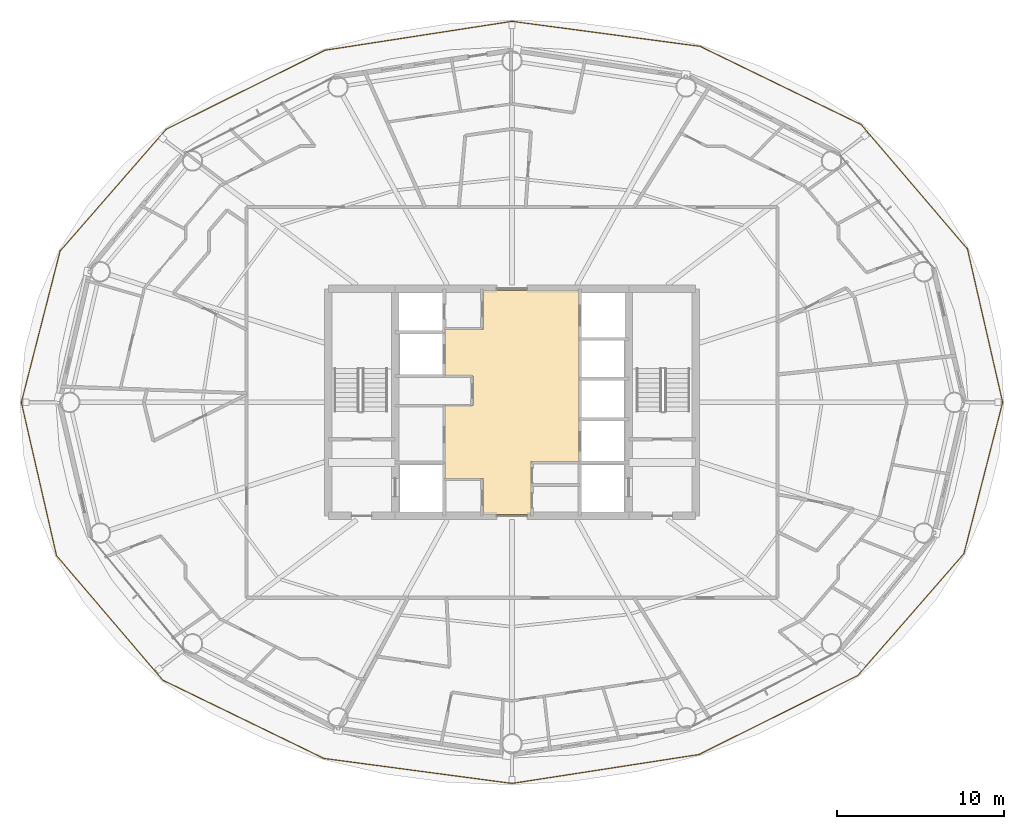
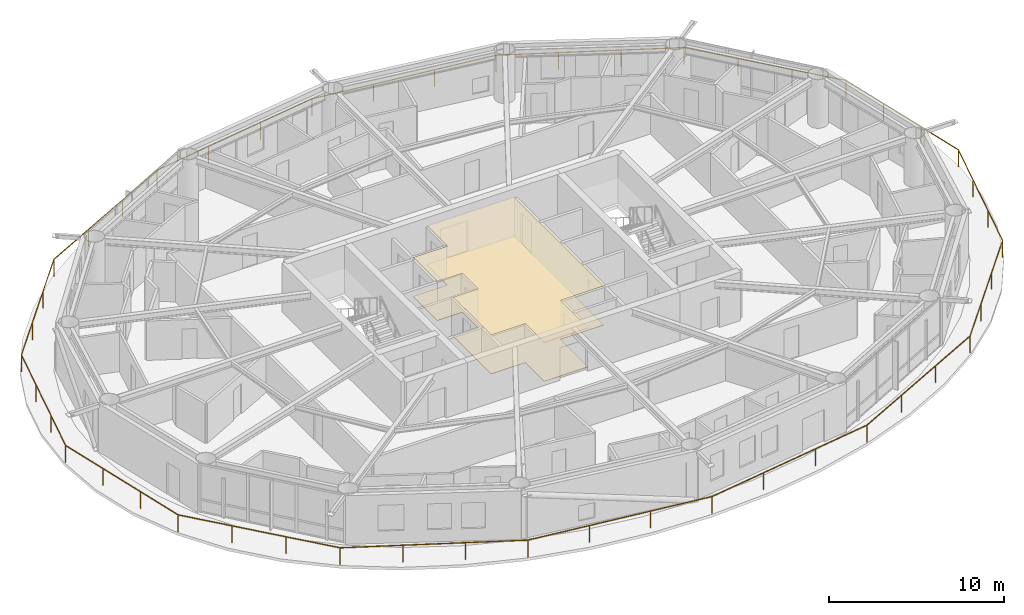
# One storey, part 26 of 27: 2 coverings, 1 railing.
"""IFC4 building model written with IfcOpenShell, lengths in metres."""

from ifc_helpers import new_model, si_unit, direction, frame, origin, origin_2d, place, context, subcontext, project, spatial, polyline, rectangle, outline, extrude, material, layer, layer_set, type_object, element, save


model = new_model("IFC4")

# Units and contexts
model_context = context("Model", 3, precision=1e-05, world=origin(), true_north=direction((0.0, 1.0)))
body_context = subcontext(model_context, "Body", "Model", "MODEL_VIEW")
ifc_project = project(units=[si_unit("LENGTHUNIT", "METRE"), si_unit("AREAUNIT", "SQUARE_METRE"), si_unit("VOLUMEUNIT", "CUBIC_METRE"), si_unit("PLANEANGLEUNIT", "RADIAN"), si_unit("MASSUNIT", "GRAM", prefix="KILO")], contexts=[model_context])

# Site, building, storey
site_placement = place(None, origin())
site = spatial("IfcSite", under=ifc_project, at=site_placement, CompositionType="ELEMENT")
building_placement = place(site_placement, origin())
building = spatial("IfcBuilding", under=site, at=building_placement, Name="Sarneth Arch Tower", CompositionType="ELEMENT")
storey_placement = place(building_placement, frame((0.0, 0.0, 193.800048828125)))
storey = spatial("IfcBuildingStorey", under=building, at=storey_placement, Name="L49", CompositionType="ELEMENT", Elevation=193.800048828125)

# Coverings
ifc_material_1 = material(Name="Perforated acoustic gypsum ceiling board")
ifc_layer_1 = layer(ifc_material_1, 0.02490234375)
ifc_layer_set_1 = layer_set([ifc_layer_1], Name="Perforated acoustic gypsum ceiling board")
covering_type_1 = type_object("IfcCoveringType", Name="COV-CEIL-GYP", PredefinedType="CEILING", material=ifc_layer_set_1)
covering_1_placement = place(storey_placement, frame((0.0, 0.0, 2.7099609375)))
element("IfcCovering", 1, at=covering_1_placement, inside=storey, type_object=covering_type_1, Name="L49 Lift lobby acoustic ceiling", PredefinedType="CEILING", context=body_context, shape_type="SweptSolid", body=[
    extrude(outline(polyline([(49.14990234375, 38.449951171875), (49.14990234375, 35.300048828125), (46.25, 35.300048828125), (46.25, 37.449951171875), (44.0, 37.449951171875), (44.0, 41.800048828125), (45.64990234375, 41.800048828125), (45.64990234375, 43.580078125), (44.0, 43.580078125), (44.0, 46.35009765625), (46.25, 46.35009765625), (46.25, 48.699951171875), (52.0, 48.699951171875), (52.0, 38.449951171875), (49.14990234375, 38.449951171875)])), origin(), (0.0, 0.0, 1.0), 0.030029296875),
])
ifc_material_2 = material(Name="Honed granite stone flooring", Category="masonry")
ifc_layer_2 = layer(ifc_material_2, 0.030029296875)
ifc_layer_set_2 = layer_set([ifc_layer_2], Name="Honed granite stone flooring")
covering_type_2 = type_object("IfcCoveringType", Name="COV-FLR-STONE", PredefinedType="FLOORING", material=ifc_layer_set_2)
covering_2_placement = place(storey_placement, origin())
element("IfcCovering", 2, at=covering_2_placement, inside=storey, type_object=covering_type_2, Name="L49 Lift lobby granite flooring", PredefinedType="FLOORING", context=body_context, shape_type="SweptSolid", body=[
    extrude(outline(polyline([(49.14990234375, 38.449951171875), (49.14990234375, 35.300048828125), (46.25, 35.300048828125), (46.25, 37.449951171875), (44.0, 37.449951171875), (44.0, 41.800048828125), (45.64990234375, 41.800048828125), (45.64990234375, 43.580078125), (44.0, 43.580078125), (44.0, 46.35009765625), (46.25, 46.35009765625), (46.25, 48.699951171875), (52.0, 48.699951171875), (52.0, 38.449951171875), (49.14990234375, 38.449951171875)])), origin(), (0.0, 0.0, 1.0), 0.030029296875),
])

# Railing
ifc_material_3 = material(Name="Laminated structural glass infill with Stainless Steel 316 top rail and posts", Category="steel")
railing_type = type_object("IfcRailingType", Name="RAIL-BALC-1200", PredefinedType="BALUSTRADE", material=ifc_material_3)
railing_placement = place(storey_placement, frame((77.3837890625, 42.0, 0.0)))
element("IfcRailing", 3, at=railing_placement, inside=storey, type_object=railing_type, Name="L49 Helical balcony glass balustrade", PredefinedType="BALUSTRADE", context=body_context, shape_type="SweptSolid", body=[
    extrude(rectangle(XDim=0.048095703125, YDim=0.048095703125, at=origin_2d()), frame((0.0, 0.0, 1.17578125), z_axis=(-0.223821983885, 0.97463004239, 0.0), x_axis=(-0.97463004239, -0.223821983885, 0.0)), (0.0, 0.0, 1.0), 9.4189453125),
    extrude(rectangle(XDim=0.048095703125, YDim=0.048095703125, at=origin_2d()), frame((-2.108154296875, 9.179931640625, 1.17578125), z_axis=(-0.649240937624, 0.760582806086, 0.0), x_axis=(-0.760582806086, -0.649240937624, 0.0)), (0.0, 0.0, 1.0), 9.79931640625),
    extrude(rectangle(XDim=0.048095703125, YDim=0.048095703125, at=origin_2d()), frame((-8.47021484375, 16.633056640625, 1.17578125), z_axis=(-0.899479286076, 0.436963401123, 0.0), x_axis=(-0.436963401123, -0.899479286076, 0.0)), (0.0, 0.0, 1.0), 10.729736328125),
    extrude(rectangle(XDim=0.048095703125, YDim=0.048095703125, at=origin_2d()), frame((-18.121337890625, 21.321533203125, 1.17578125), z_axis=(-0.991272322318, 0.131830129358, 0.0), x_axis=(-0.131830129358, -0.991272322318, 0.0)), (0.0, 0.0, 1.0), 11.361572265625),
    extrude(rectangle(XDim=0.048095703125, YDim=0.048095703125, at=origin_2d()), frame((-29.3837890625, 22.8193359375, 1.17578125), z_axis=(-0.988254995131, -0.152813823322, 0.0), x_axis=(0.152813823322, -0.988254995131, 0.0)), (0.0, 0.0, 1.0), 11.322509765625),
    extrude(rectangle(XDim=0.048095703125, YDim=0.048095703125, at=origin_2d()), frame((-40.5732421875, 21.089111328125, 1.17578125), z_axis=(-0.895453921862, -0.445154213528, 0.0), x_axis=(0.445154213528, -0.895453921862, 0.0)), (0.0, 0.0, 1.0), 10.628173828125),
    extrude(rectangle(XDim=0.048095703125, YDim=0.048095703125, at=origin_2d()), frame((-50.09033203125, 16.35791015625, 1.17578125), z_axis=(-0.6568436813, -0.75402677561, 0.0), x_axis=(0.75402677561, -0.6568436813, 0.0)), (0.0, 0.0, 1.0), 9.677001953125),
    extrude(rectangle(XDim=0.048095703125, YDim=0.048095703125, at=origin_2d()), frame((-56.446533203125, 9.061279296875, 1.17578125), z_axis=(-0.248138601686, -0.968724539977, 0.0), x_axis=(0.968724539977, -0.248138601686, 0.0)), (0.0, 0.0, 1.0), 9.353759765625),
    extrude(rectangle(XDim=0.048095703125, YDim=0.048095703125, at=origin_2d()), frame((-58.767578125, 0.0, 1.17578125), z_axis=(0.223821983885, -0.97463004239, 0.0), x_axis=(0.97463004239, 0.223821983885, 0.0)), (0.0, 0.0, 1.0), 9.4189453125),
    extrude(rectangle(XDim=0.048095703125, YDim=0.048095703125, at=origin_2d()), frame((-56.659423828125, -9.179931640625, 1.17578125), z_axis=(0.649240937624, -0.760582806086, 0.0), x_axis=(0.760582806086, 0.649240937624, 0.0)), (0.0, 0.0, 1.0), 9.79931640625),
    extrude(rectangle(XDim=0.048095703125, YDim=0.048095703125, at=origin_2d()), frame((-50.29736328125, -16.633056640625, 1.17578125), z_axis=(0.899479286076, -0.436963401123, 0.0), x_axis=(0.436963401123, 0.899479286076, 0.0)), (0.0, 0.0, 1.0), 10.729736328125),
    extrude(rectangle(XDim=0.048095703125, YDim=0.048095703125, at=origin_2d()), frame((-40.646240234375, -21.321533203125, 1.17578125), z_axis=(0.991272322318, -0.131830129358, 0.0), x_axis=(0.131830129358, 0.991272322318, 0.0)), (0.0, 0.0, 1.0), 11.361572265625),
    extrude(rectangle(XDim=0.048095703125, YDim=0.048095703125, at=origin_2d()), frame((-29.3837890625, -22.8193359375, 1.17578125), z_axis=(0.988254995131, 0.152813823322, 0.0), x_axis=(-0.152813823322, 0.988254995131, 0.0)), (0.0, 0.0, 1.0), 11.322509765625),
    extrude(rectangle(XDim=0.048095703125, YDim=0.048095703125, at=origin_2d()), frame((-18.1943359375, -21.089111328125, 1.17578125), z_axis=(0.895453921862, 0.445154213528, 0.0), x_axis=(-0.445154213528, 0.895453921862, 0.0)), (0.0, 0.0, 1.0), 10.628173828125),
    extrude(rectangle(XDim=0.048095703125, YDim=0.048095703125, at=origin_2d()), frame((-8.67724609375, -16.35791015625, 1.17578125), z_axis=(0.6568436813, 0.75402677561, 0.0), x_axis=(-0.75402677561, 0.6568436813, 0.0)), (0.0, 0.0, 1.0), 9.677001953125),
    extrude(rectangle(XDim=0.048095703125, YDim=0.048095703125, at=origin_2d()), frame((-2.321044921875, -9.061279296875, 1.17578125), z_axis=(0.248138601686, 0.968724539977, 0.0), x_axis=(-0.968724539977, 0.248138601686, 0.0)), (0.0, 0.0, 1.0), 9.353759765625),
    extrude(rectangle(XDim=0.0419921875, YDim=0.0419921875, at=origin_2d()), origin(), (0.0, 0.0, 1.0), 1.15185546875),
    extrude(rectangle(XDim=0.0419921875, YDim=0.0419921875, at=origin_2d()), frame((-0.70263671875, 3.06005859375, 0.0)), (0.0, 0.0, 1.0), 1.15185546875),
    extrude(rectangle(XDim=0.0419921875, YDim=0.0419921875, at=origin_2d()), frame((-1.405517578125, 6.119873046875, 0.0)), (0.0, 0.0, 1.0), 1.15185546875),
    extrude(rectangle(XDim=0.0419921875, YDim=0.0419921875, at=origin_2d()), frame((-2.108154296875, 9.179931640625, 0.0)), (0.0, 0.0, 1.0), 1.15185546875),
    extrude(rectangle(XDim=0.0419921875, YDim=0.0419921875, at=origin_2d()), frame((-4.228759765625, 11.664306640625, 0.0)), (0.0, 0.0, 1.0), 1.15185546875),
    extrude(rectangle(XDim=0.0419921875, YDim=0.0419921875, at=origin_2d()), frame((-6.349609375, 14.148681640625, 0.0)), (0.0, 0.0, 1.0), 1.15185546875),
    extrude(rectangle(XDim=0.0419921875, YDim=0.0419921875, at=origin_2d()), frame((-8.47021484375, 16.633056640625, 0.0)), (0.0, 0.0, 1.0), 1.15185546875),
    extrude(rectangle(XDim=0.0419921875, YDim=0.0419921875, at=origin_2d()), frame((-11.687255859375, 18.19580078125, 0.0)), (0.0, 0.0, 1.0), 1.15185546875),
    extrude(rectangle(XDim=0.0419921875, YDim=0.0419921875, at=origin_2d()), frame((-14.904296875, 19.7587890625, 0.0)), (0.0, 0.0, 1.0), 1.15185546875),
    extrude(rectangle(XDim=0.0419921875, YDim=0.0419921875, at=origin_2d()), frame((-18.121337890625, 21.321533203125, 0.0)), (0.0, 0.0, 1.0), 1.15185546875),
    extrude(rectangle(XDim=0.0419921875, YDim=0.0419921875, at=origin_2d()), frame((-21.87548828125, 21.82080078125, 0.0)), (0.0, 0.0, 1.0), 1.15185546875),
    extrude(rectangle(XDim=0.0419921875, YDim=0.0419921875, at=origin_2d()), frame((-25.629638671875, 22.320068359375, 0.0)), (0.0, 0.0, 1.0), 1.15185546875),
    extrude(rectangle(XDim=0.0419921875, YDim=0.0419921875, at=origin_2d()), frame((-29.3837890625, 22.8193359375, 0.0)), (0.0, 0.0, 1.0), 1.15185546875),
    extrude(rectangle(XDim=0.0419921875, YDim=0.0419921875, at=origin_2d()), frame((-33.113525390625, 22.24267578125, 0.0)), (0.0, 0.0, 1.0), 1.15185546875),
    extrude(rectangle(XDim=0.0419921875, YDim=0.0419921875, at=origin_2d()), frame((-36.843505859375, 21.665771484375, 0.0)), (0.0, 0.0, 1.0), 1.15185546875),
    extrude(rectangle(XDim=0.0419921875, YDim=0.0419921875, at=origin_2d()), frame((-40.5732421875, 21.089111328125, 0.0)), (0.0, 0.0, 1.0), 1.15185546875),
    extrude(rectangle(XDim=0.0419921875, YDim=0.0419921875, at=origin_2d()), frame((-43.74560546875, 19.511962890625, 0.0)), (0.0, 0.0, 1.0), 1.15185546875),
    extrude(rectangle(XDim=0.0419921875, YDim=0.0419921875, at=origin_2d()), frame((-46.91796875, 17.93505859375, 0.0)), (0.0, 0.0, 1.0), 1.15185546875),
    extrude(rectangle(XDim=0.0419921875, YDim=0.0419921875, at=origin_2d()), frame((-50.09033203125, 16.35791015625, 0.0)), (0.0, 0.0, 1.0), 1.15185546875),
    extrude(rectangle(XDim=0.0419921875, YDim=0.0419921875, at=origin_2d()), frame((-52.208984375, 13.92578125, 0.0)), (0.0, 0.0, 1.0), 1.15185546875),
    extrude(rectangle(XDim=0.0419921875, YDim=0.0419921875, at=origin_2d()), frame((-54.327880859375, 11.493408203125, 0.0)), (0.0, 0.0, 1.0), 1.15185546875),
    extrude(rectangle(XDim=0.0419921875, YDim=0.0419921875, at=origin_2d()), frame((-56.446533203125, 9.061279296875, 0.0)), (0.0, 0.0, 1.0), 1.15185546875),
    extrude(rectangle(XDim=0.0419921875, YDim=0.0419921875, at=origin_2d()), frame((-57.22021484375, 6.040771484375, 0.0)), (0.0, 0.0, 1.0), 1.15185546875),
    extrude(rectangle(XDim=0.0419921875, YDim=0.0419921875, at=origin_2d()), frame((-57.993896484375, 3.0205078125, 0.0)), (0.0, 0.0, 1.0), 1.15185546875),
    extrude(rectangle(XDim=0.0419921875, YDim=0.0419921875, at=origin_2d()), frame((-58.767578125, 0.0, 0.0)), (0.0, 0.0, 1.0), 1.15185546875),
    extrude(rectangle(XDim=0.0419921875, YDim=0.0419921875, at=origin_2d()), frame((-58.06494140625, -3.06005859375, 0.0)), (0.0, 0.0, 1.0), 1.15185546875),
    extrude(rectangle(XDim=0.0419921875, YDim=0.0419921875, at=origin_2d()), frame((-57.362060546875, -6.119873046875, 0.0)), (0.0, 0.0, 1.0), 1.15185546875),
    extrude(rectangle(XDim=0.0419921875, YDim=0.0419921875, at=origin_2d()), frame((-56.659423828125, -9.179931640625, 0.0)), (0.0, 0.0, 1.0), 1.15185546875),
    extrude(rectangle(XDim=0.0419921875, YDim=0.0419921875, at=origin_2d()), frame((-54.538818359375, -11.664306640625, 0.0)), (0.0, 0.0, 1.0), 1.15185546875),
    extrude(rectangle(XDim=0.0419921875, YDim=0.0419921875, at=origin_2d()), frame((-52.41796875, -14.148681640625, 0.0)), (0.0, 0.0, 1.0), 1.15185546875),
    extrude(rectangle(XDim=0.0419921875, YDim=0.0419921875, at=origin_2d()), frame((-50.29736328125, -16.633056640625, 0.0)), (0.0, 0.0, 1.0), 1.15185546875),
    extrude(rectangle(XDim=0.0419921875, YDim=0.0419921875, at=origin_2d()), frame((-47.080322265625, -18.19580078125, 0.0)), (0.0, 0.0, 1.0), 1.15185546875),
    extrude(rectangle(XDim=0.0419921875, YDim=0.0419921875, at=origin_2d()), frame((-43.86328125, -19.7587890625, 0.0)), (0.0, 0.0, 1.0), 1.15185546875),
    extrude(rectangle(XDim=0.0419921875, YDim=0.0419921875, at=origin_2d()), frame((-40.646240234375, -21.321533203125, 0.0)), (0.0, 0.0, 1.0), 1.15185546875),
    extrude(rectangle(XDim=0.0419921875, YDim=0.0419921875, at=origin_2d()), frame((-36.89208984375, -21.82080078125, 0.0)), (0.0, 0.0, 1.0), 1.15185546875),
    extrude(rectangle(XDim=0.0419921875, YDim=0.0419921875, at=origin_2d()), frame((-33.137939453125, -22.320068359375, 0.0)), (0.0, 0.0, 1.0), 1.15185546875),
    extrude(rectangle(XDim=0.0419921875, YDim=0.0419921875, at=origin_2d()), frame((-29.3837890625, -22.8193359375, 0.0)), (0.0, 0.0, 1.0), 1.15185546875),
    extrude(rectangle(XDim=0.0419921875, YDim=0.0419921875, at=origin_2d()), frame((-25.654052734375, -22.24267578125, 0.0)), (0.0, 0.0, 1.0), 1.15185546875),
    extrude(rectangle(XDim=0.0419921875, YDim=0.0419921875, at=origin_2d()), frame((-21.924072265625, -21.665771484375, 0.0)), (0.0, 0.0, 1.0), 1.15185546875),
    extrude(rectangle(XDim=0.0419921875, YDim=0.0419921875, at=origin_2d()), frame((-18.1943359375, -21.089111328125, 0.0)), (0.0, 0.0, 1.0), 1.15185546875),
    extrude(rectangle(XDim=0.0419921875, YDim=0.0419921875, at=origin_2d()), frame((-15.02197265625, -19.511962890625, 0.0)), (0.0, 0.0, 1.0), 1.15185546875),
    extrude(rectangle(XDim=0.0419921875, YDim=0.0419921875, at=origin_2d()), frame((-11.849609375, -17.93505859375, 0.0)), (0.0, 0.0, 1.0), 1.15185546875),
    extrude(rectangle(XDim=0.0419921875, YDim=0.0419921875, at=origin_2d()), frame((-8.67724609375, -16.35791015625, 0.0)), (0.0, 0.0, 1.0), 1.15185546875),
    extrude(rectangle(XDim=0.0419921875, YDim=0.0419921875, at=origin_2d()), frame((-6.55859375, -13.92578125, 0.0)), (0.0, 0.0, 1.0), 1.15185546875),
    extrude(rectangle(XDim=0.0419921875, YDim=0.0419921875, at=origin_2d()), frame((-4.439697265625, -11.493408203125, 0.0)), (0.0, 0.0, 1.0), 1.15185546875),
    extrude(rectangle(XDim=0.0419921875, YDim=0.0419921875, at=origin_2d()), frame((-2.321044921875, -9.061279296875, 0.0)), (0.0, 0.0, 1.0), 1.15185546875),
    extrude(rectangle(XDim=0.0419921875, YDim=0.0419921875, at=origin_2d()), frame((-1.54736328125, -6.040771484375, 0.0)), (0.0, 0.0, 1.0), 1.15185546875),
    extrude(rectangle(XDim=0.0419921875, YDim=0.0419921875, at=origin_2d()), frame((-0.773681640625, -3.0205078125, 0.0)), (0.0, 0.0, 1.0), 1.15185546875),
])

save(model, "model.ifc")
